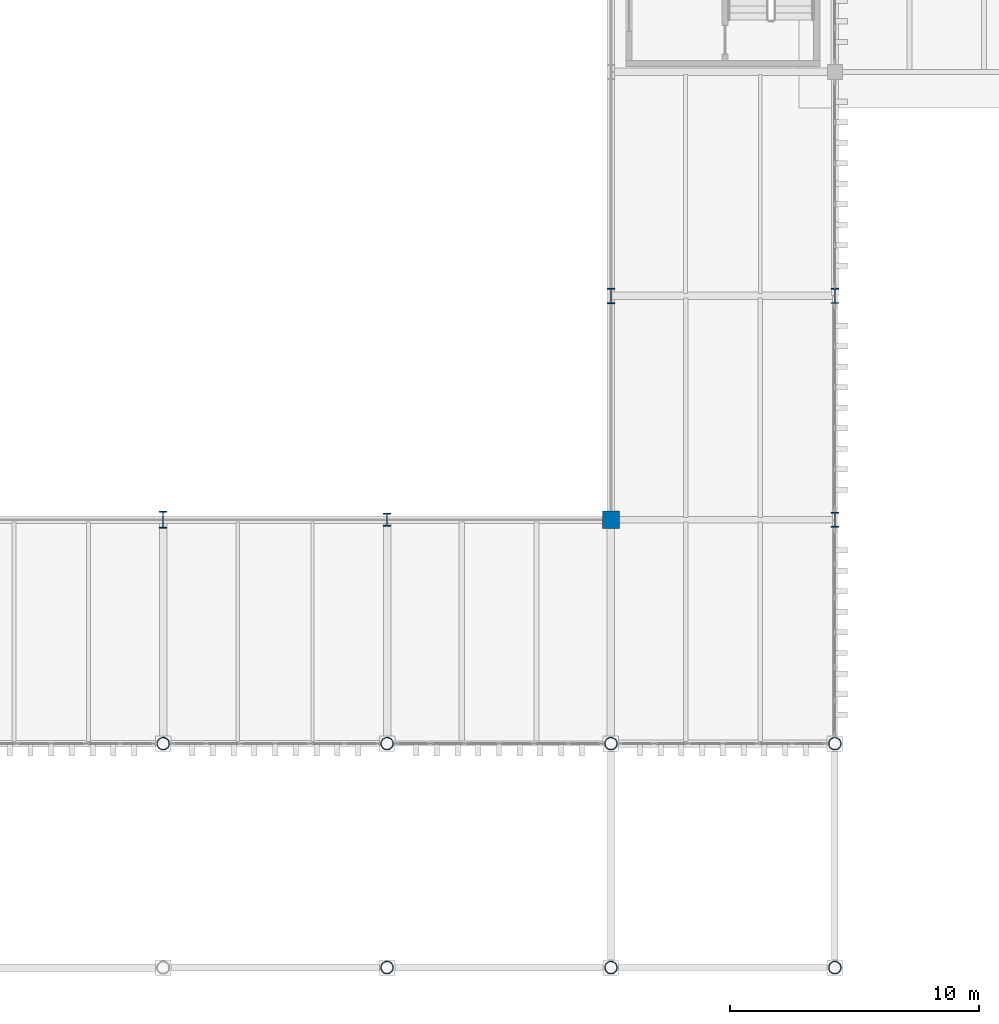
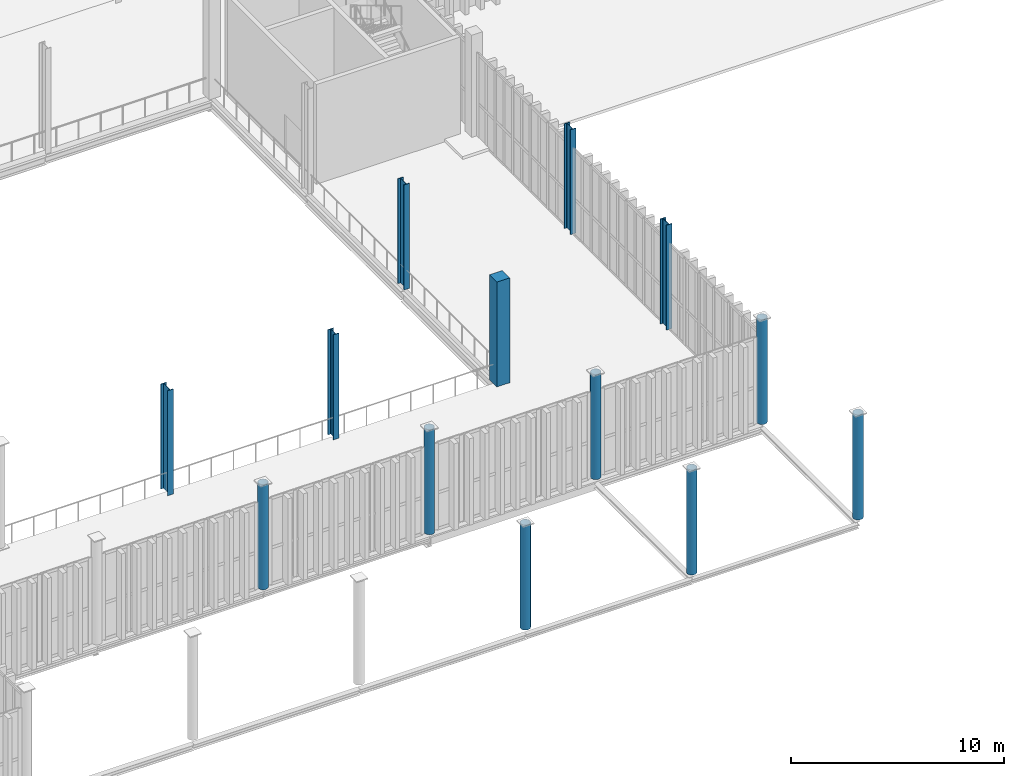
# One storey, part 2 of 211: 13 columns.
"""IFC4 building model written with IfcOpenShell, lengths in metres."""

from ifc_helpers import new_model, si_unit, direction, frame, origin, origin_2d, place, context, subcontext, project, spatial, rectangle, hollow_circle, i_section, extrude, material, material_profile, profile_set, type_object, element, save


model = new_model("IFC4")

# Units and contexts
model_context = context("Model", 3, precision=1e-05, world=origin(), true_north=direction((0.0, 1.0)))
body_context = subcontext(model_context, "Body", "Model", "MODEL_VIEW")
ifc_project = project(units=[si_unit("LENGTHUNIT", "METRE"), si_unit("AREAUNIT", "SQUARE_METRE"), si_unit("VOLUMEUNIT", "CUBIC_METRE"), si_unit("PLANEANGLEUNIT", "RADIAN"), si_unit("MASSUNIT", "GRAM", prefix="KILO")], contexts=[model_context])

# Site, building, storey
site_placement = place(None, origin())
site = spatial("IfcSite", under=ifc_project, at=site_placement, CompositionType="ELEMENT")
building_placement = place(site_placement, origin())
building = spatial("IfcBuilding", under=site, at=building_placement, Name="Barlavento Convention Centre", CompositionType="ELEMENT")
storey_placement = place(building_placement, frame((0.0, 0.0, 6.0)))
storey = spatial("IfcBuildingStorey", under=building, at=storey_placement, Name="L01", CompositionType="ELEMENT", Elevation=6.0)

# Columns
ifc_material_1 = material(Name="Steel S460", Category="steel")
ifc_material_profile_1 = material_profile(ifc_material_1, hollow_circle(Radius=0.25390625, WallThickness=0.02001953125, at=origin_2d()), Name="CHS 508.0x20.0")
ifc_profile_set_1 = profile_set([ifc_material_profile_1], Name="Steel S460")
column_type_1 = type_object("IfcColumnType", Name="STR-COL-CHS508", PredefinedType="COLUMN", material=ifc_profile_set_1)
for number, where, z_axis, x_axis, name in (
    (1, (36.0, 9.0, 0.0), (0.0, 0.0, 1.0), (1.0, 0.0, 0.0), "L01 column SC13"),
    (2, (45.0, 0.0, 0.0), (0.0, 0.0, 1.0), (1.0, 0.0, 0.0), "L01 column SC13"),
    (3, (45.0, 9.0, 0.0), (0.0, 0.0, 1.0), (1.0, 0.0, 0.0), "L01 column SC13"),
    (4, (54.0, 0.0, 0.0), (0.0, 0.0, 1.0), (1.0, 0.0, 0.0), "L01 column SC13"),
    (5, (54.0, 9.0, 0.0), (0.0, 0.0, 1.0), (1.0, 0.0, 0.0), "L01 column SC13"),
    (6, (63.0, 0.0, 0.0), (0.0, 0.0, 1.0), (1.0, 0.0, 0.0), "L01 column SC13"),
    (7, (63.0, 9.0, 0.0), (0.0, 0.0, 1.0), (1.0, 0.0, 0.0), "L01 column SC13"),
):
    element("IfcColumn", number, at=place(storey_placement, frame(where, z_axis=z_axis, x_axis=x_axis)), inside=storey, type_object=column_type_1, Name=name, PredefinedType="COLUMN", context=body_context, shape_type="SweptSolid", body=[
        extrude(hollow_circle(Radius=0.25390625, WallThickness=0.02001953125, at=origin_2d()), origin(), (0.0, 0.0, 1.0), 6.0),
    ])
ifc_material_2 = material(Name="Steel S355", Category="steel")
ifc_material_profile_2 = material_profile(ifc_material_2, i_section(OverallWidth=0.300048828125, OverallDepth=0.60009765625, WebThickness=0.015380859375, FlangeThickness=0.030029296875, FilletRadius=0.027099609375, at=origin_2d()), Name="HEB 600")
ifc_profile_set_2 = profile_set([ifc_material_profile_2], Name="Steel S355")
column_type_2 = type_object("IfcColumnType", Name="STR-COL-HEB600", PredefinedType="COLUMN", material=ifc_profile_set_2)
column_1_placement = place(storey_placement, frame((63.0, 27.0, 0.0), z_axis=(0.0, 0.0, 1.0), x_axis=(1.0, 0.0, 0.0)))
element("IfcColumn", 8, at=column_1_placement, inside=storey, type_object=column_type_2, Name="L01 column SC08", PredefinedType="COLUMN", context=body_context, shape_type="SweptSolid", body=[
    extrude(i_section(OverallWidth=0.300048828125, OverallDepth=0.60009765625, WebThickness=0.015380859375, FlangeThickness=0.030029296875, FilletRadius=0.027099609375, at=origin_2d()), origin(), (0.0, 0.0, 1.0), 6.0),
])
ifc_material_profile_3 = material_profile(ifc_material_2, i_section(OverallWidth=0.305908203125, OverallDepth=0.52392578125, WebThickness=0.02099609375, FlangeThickness=0.0400390625, FilletRadius=0.027099609375, at=origin_2d()), Name="HEM 500")
ifc_profile_set_3 = profile_set([ifc_material_profile_3], Name="Steel S355")
column_type_3 = type_object("IfcColumnType", Name="STR-COL-HEM500", PredefinedType="COLUMN", material=ifc_profile_set_3)
column_2_placement = place(storey_placement, frame((45.0, 18.0, 0.0), z_axis=(0.0, 0.0, 1.0), x_axis=(1.0, 0.0, 0.0)))
element("IfcColumn", 9, at=column_2_placement, inside=storey, type_object=column_type_3, Name="L01 column SC07", PredefinedType="COLUMN", context=body_context, shape_type="SweptSolid", body=[
    extrude(i_section(OverallWidth=0.305908203125, OverallDepth=0.52392578125, WebThickness=0.02099609375, FlangeThickness=0.0400390625, FilletRadius=0.027099609375, at=origin_2d()), origin(), (0.0, 0.0, 1.0), 6.0),
])
ifc_material_profile_4 = material_profile(ifc_material_2, i_section(OverallWidth=0.304931640625, OverallDepth=0.6201171875, WebThickness=0.02099609375, FlangeThickness=0.0400390625, FilletRadius=0.027099609375, at=origin_2d()), Name="HEM 600")
ifc_profile_set_4 = profile_set([ifc_material_profile_4], Name="Steel S355")
column_type_4 = type_object("IfcColumnType", Name="STR-COL-HEM600", PredefinedType="COLUMN", material=ifc_profile_set_4)
for number, where, z_axis, x_axis, name in (
    (10, (54.0, 27.0, 0.0), (0.0, 0.0, 1.0), (1.0, 0.0, 0.0), "L01 column SC05"),
    (11, (63.0, 18.0, 0.0), (0.0, 0.0, 1.0), (1.0, 0.0, 0.0), "L01 column SC05"),
):
    element("IfcColumn", number, at=place(storey_placement, frame(where, z_axis=z_axis, x_axis=x_axis)), inside=storey, type_object=column_type_4, Name=name, PredefinedType="COLUMN", context=body_context, shape_type="SweptSolid", body=[
        extrude(i_section(OverallWidth=0.304931640625, OverallDepth=0.6201171875, WebThickness=0.02099609375, FlangeThickness=0.0400390625, FilletRadius=0.027099609375, at=origin_2d()), origin(), (0.0, 0.0, 1.0), 6.0),
    ])
ifc_material_profile_5 = material_profile(ifc_material_1, i_section(OverallWidth=0.304931640625, OverallDepth=0.66796875, WebThickness=0.02099609375, FlangeThickness=0.0400390625, FilletRadius=0.027099609375, at=origin_2d()), Name="HEM 650")
ifc_profile_set_5 = profile_set([ifc_material_profile_5], Name="Steel S460")
column_type_5 = type_object("IfcColumnType", Name="STR-COL-HEM650", PredefinedType="COLUMN", material=ifc_profile_set_5)
column_3_placement = place(storey_placement, frame((36.0, 18.0, 0.0), z_axis=(0.0, 0.0, 1.0), x_axis=(1.0, 0.0, 0.0)))
element("IfcColumn", 12, at=column_3_placement, inside=storey, type_object=column_type_5, Name="L01 column SC04", PredefinedType="COLUMN", context=body_context, shape_type="SweptSolid", body=[
    extrude(i_section(OverallWidth=0.304931640625, OverallDepth=0.66796875, WebThickness=0.02099609375, FlangeThickness=0.0400390625, FilletRadius=0.027099609375, at=origin_2d()), origin(), (0.0, 0.0, 1.0), 6.0),
])
ifc_material_3 = material(Name="Concrete C40/50", Category="concrete")
ifc_material_profile_6 = material_profile(ifc_material_3, rectangle(XDim=0.699951171875, YDim=0.699951171875, at=origin_2d()), Name="RC 700x700")
ifc_profile_set_6 = profile_set([ifc_material_profile_6], Name="Concrete C40/50")
column_type_6 = type_object("IfcColumnType", Name="STR-COL-RC700", PredefinedType="COLUMN", material=ifc_profile_set_6)
column_4_placement = place(storey_placement, frame((54.0, 18.0, 0.0), z_axis=(0.0, 0.0, 1.0), x_axis=(1.0, 0.0, 0.0)))
element("IfcColumn", 13, at=column_4_placement, inside=storey, type_object=column_type_6, Name="L01 column CC06", PredefinedType="COLUMN", context=body_context, shape_type="SweptSolid", body=[
    extrude(rectangle(XDim=0.699951171875, YDim=0.699951171875, at=origin_2d()), origin(), (0.0, 0.0, 1.0), 6.0),
])

save(model, "model.ifc")
